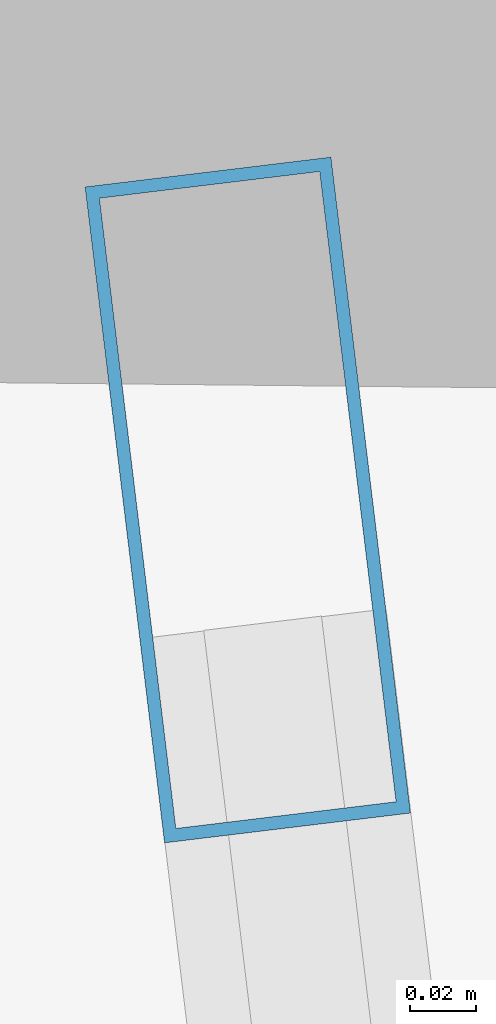
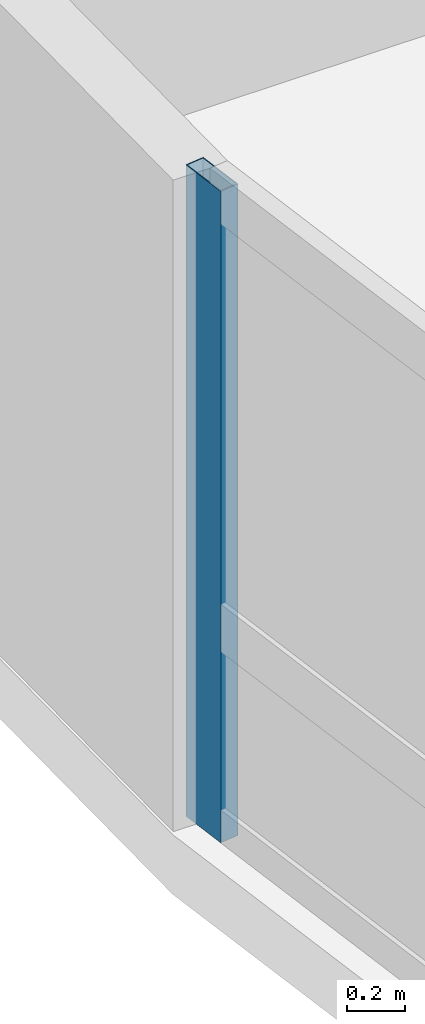
# One storey, part 8 of 23: 1 member, 1 element without a shape of its own.
"""IFC4 building model written with IfcOpenShell, lengths in metres."""

import ifcopenshell
import ifcopenshell.guid

model = None  # the IFC model being written
_history = None  # IfcOwnerHistory: only IFC2X3 demands one
_inside = {}  # id of a spatial element -> (the spatial element, [elements in it])
_under = {}  # id of a project, library or spatial element -> (it, [spatial elements below it])
_declared = {}  # id of a project -> (the project, [libraries it declares])
_typed = {}  # id of a type object -> (the type object, [elements of that type])
_made_of = {}  # id of a material, layer set ... -> (it, [elements and type objects made of it])


def new_model(schema):
    """Start an empty IFC model of exactly this schema.

    Asked for "IFC4X3", IfcOpenShell would pick the latest addendum, in which some entities
    have other attributes; the version numbers below select the first issue.
    IFC2X3 requires an IfcOwnerHistory on every rooted entity: one is made here for all.
    """
    global model, _history
    if schema == "IFC4X3":
        model = ifcopenshell.file(schema_version=(4, 3, 0, 0))
    else:
        model = ifcopenshell.file(schema=schema)
    _inside.clear()
    _under.clear()
    _declared.clear()
    _typed.clear()
    _made_of.clear()
    _history = None
    if model.schema == "IFC2X3":
        org = make("IfcOrganization", Name="unknown")
        user = make(
            "IfcPersonAndOrganization",
            ThePerson=make("IfcPerson", FamilyName="unknown"),
            TheOrganization=org,
        )
        app = make(
            "IfcApplication",
            ApplicationDeveloper=org,
            Version="unknown",
            ApplicationFullName="unknown",
            ApplicationIdentifier="unknown",
        )
        _history = make(
            "IfcOwnerHistory",
            OwningUser=user,
            OwningApplication=app,
            ChangeAction="ADDED",
            CreationDate=0,
        )
    return model


def make(cls, **values):
    """One entity of the class cls with the attributes given. An attribute that is None is left unset."""
    return model.create_entity(
        cls, **{name: value for name, value in values.items() if value is not None}
    )


def rooted(cls, **values):
    """An entity with a GlobalId (a new one), such as an element, a storey or a relation."""
    return make(cls, GlobalId=ifcopenshell.guid.new(), OwnerHistory=_history, **values)


def si_unit(unit_type, name, prefix=None):
    """IfcSIUnit, for example si_unit("LENGTHUNIT", "METRE", prefix="MILLI")."""
    return make("IfcSIUnit", UnitType=unit_type, Prefix=prefix, Name=name)


def assignment(units):
    """IfcUnitAssignment: the units of a project."""
    return None if units is None else make("IfcUnitAssignment", Units=units)


def point(xyz):
    """IfcCartesianPoint."""
    return None if xyz is None else make("IfcCartesianPoint", Coordinates=xyz)


def direction(xyz):
    """IfcDirection."""
    return None if xyz is None else make("IfcDirection", DirectionRatios=xyz)


def frame(location, z_axis=None, x_axis=None):
    """IfcAxis2Placement3D, a coordinate frame: its origin and axes. An axis left out is left unset."""
    return make(
        "IfcAxis2Placement3D",
        Location=point(location),
        Axis=direction(z_axis),
        RefDirection=direction(x_axis),
    )


def frame_2d(location, x_axis=None):
    """IfcAxis2Placement2D, a coordinate frame in the plane: its origin and x axis."""
    return make(
        "IfcAxis2Placement2D", Location=point(location), RefDirection=direction(x_axis)
    )


def origin():
    """The frame at (0, 0, 0) with its axes left unset."""
    return frame((0.0, 0.0, 0.0))


def origin_2d():
    """The frame at (0, 0) in the plane with its x axis left unset."""
    return frame_2d((0.0, 0.0))


def place(relative_to, where):
    """IfcLocalPlacement: puts the frame where relative to a parent placement (None: the world)."""
    return make(
        "IfcLocalPlacement", PlacementRelTo=relative_to, RelativePlacement=where
    )


def context(
    kind, dimensions, precision=None, world=None, true_north=None, identifier=None
):
    """IfcGeometricRepresentationContext, for example the 3D "Model" context."""
    return make(
        "IfcGeometricRepresentationContext",
        ContextIdentifier=identifier,
        ContextType=kind,
        CoordinateSpaceDimension=dimensions,
        Precision=precision,
        WorldCoordinateSystem=world,
        TrueNorth=true_north,
    )


def subcontext(parent, identifier, kind, view, scale=None):
    """IfcGeometricRepresentationSubContext, for example "Body" below "Model"."""
    return make(
        "IfcGeometricRepresentationSubContext",
        ContextIdentifier=identifier,
        ContextType=kind,
        ParentContext=parent,
        TargetScale=scale,
        TargetView=view,
    )


def project(units=None, contexts=None):
    """IfcProject with its units and contexts."""
    return rooted(
        "IfcProject",
        Name="project",
        RepresentationContexts=contexts,
        UnitsInContext=assignment(units),
    )


def spatial(cls, under=None, at=None, **own):
    """A site, building, storey or space (cls), placed at a placement, below another one or the project."""
    s = rooted(cls, ObjectPlacement=at, **own)
    if under is not None:
        _under.setdefault(under.id(), (under, []))[1].append(s)
    return s


def profile(cls, at=None, kind="AREA", **sizes):
    """A parametric profile (cls). Its sizes go by their IFC names, for example OverallWidth=200.0."""
    return make(cls, ProfileType=kind, Position=at, **sizes)


def hollow_rectangle(**sizes):
    """IfcRectangleHollowProfileDef."""
    return profile("IfcRectangleHollowProfileDef", **sizes)


def extrude(swept, where, along, depth):
    """IfcExtrudedAreaSolid: the profile swept, set in the frame where, extruded along a direction by depth."""
    return make(
        "IfcExtrudedAreaSolid",
        SweptArea=swept,
        Position=where,
        ExtrudedDirection=direction(along),
        Depth=depth,
    )


def shape(context_of_items, identifier, shape_type, items):
    """IfcShapeRepresentation: the items that make up one representation, for example the "Body"."""
    return make(
        "IfcShapeRepresentation",
        ContextOfItems=context_of_items,
        RepresentationIdentifier=identifier,
        RepresentationType=shape_type,
        Items=items,
    )


def material(Name=None, Category=None):
    """IfcMaterial."""
    return make("IfcMaterial", Name=Name, Category=Category)


def layer(
    of_material, thickness, ventilated=None, Name=None, Category=None, Priority=None
):
    """IfcMaterialLayer: one layer of a wall or slab, of a material (None: an air gap)."""
    return make(
        "IfcMaterialLayer",
        Material=of_material,
        LayerThickness=thickness,
        IsVentilated=ventilated,
        Name=Name,
        Category=Category,
        Priority=Priority,
    )


def layer_set(layers, Name=None):
    """IfcMaterialLayerSet."""
    return make("IfcMaterialLayerSet", MaterialLayers=layers, LayerSetName=Name)


def material_profile(
    of_material, cross_section, Name=None, Category=None, Priority=None
):
    """IfcMaterialProfile: a cross section and its material."""
    return make(
        "IfcMaterialProfile",
        Name=Name,
        Material=of_material,
        Profile=cross_section,
        Priority=Priority,
        Category=Category,
    )


def profile_set(profiles, Name=None, composite=None):
    """IfcMaterialProfileSet."""
    return make(
        "IfcMaterialProfileSet",
        Name=Name,
        MaterialProfiles=profiles,
        CompositeProfile=composite,
    )


def made_of(thing, what):
    """Note that an element or type object is made of a material, layer set ...; save() writes the relation."""
    if what is not None:
        _made_of.setdefault(what.id(), (what, []))[1].append(thing)
    return thing


def type_object(cls, material=None, **own):
    """A type object (cls), such as IfcWallType, which elements share."""
    return made_of(rooted(cls, **own), material)


def element(
    cls,
    number,
    at=None,
    inside=None,
    cuts=None,
    type_object=None,
    material=None,
    context=None,
    identifier="Body",
    shape_type=None,
    held_by="IfcProductDefinitionShape",
    body=None,
    shapes=None,
    **own,
):
    """One element of the class cls, such as IfcWall. Its Tag is "e" and its number.

    at: its placement. inside: the storey or other place that contains it. cuts: it is an
    opening in that element (IfcRelVoidsElement). A single representation is given by context,
    identifier, shape_type and body (its items); several are given by shapes. held_by: the class
    of the entity that holds the representations. save() writes the other relations.
    """
    e = rooted(cls, Tag="e%d" % number, ObjectPlacement=at, **own)
    if body is not None:
        shapes = [shape(context, identifier, shape_type, body)]
    if shapes is not None:
        e.Representation = make(held_by, Representations=shapes)
    if inside is not None:
        _inside.setdefault(inside.id(), (inside, []))[1].append(e)
    if cuts is not None:
        rooted(
            "IfcRelVoidsElement", RelatingBuildingElement=cuts, RelatedOpeningElement=e
        )
    if type_object is not None:
        _typed.setdefault(type_object.id(), (type_object, []))[1].append(e)
    return made_of(e, material)


def aggregate(whole, parts):
    """IfcRelAggregates: a whole, such as a stair, and the parts it consists of."""
    return rooted("IfcRelAggregates", RelatingObject=whole, RelatedObjects=parts)


def save(model, path):
    """Write the relations noted so far, then the file.

    IfcRelAggregates (storeys below a building ...), IfcRelContainedInSpatialStructure (elements
    in a storey), IfcRelDefinesByType, IfcRelAssociatesMaterial and IfcRelDeclares: one each for
    every whole, place, type object, material and project.
    """
    for whole, parts in _under.values():
        aggregate(whole, parts)
    for where, things in _inside.values():
        rooted(
            "IfcRelContainedInSpatialStructure",
            RelatedElements=things,
            RelatingStructure=where,
        )
    for kind, things in _typed.values():
        rooted("IfcRelDefinesByType", RelatedObjects=things, RelatingType=kind)
    for what, things in _made_of.values():
        rooted("IfcRelAssociatesMaterial", RelatedObjects=things, RelatingMaterial=what)
    for by, libraries in _declared.values():
        rooted("IfcRelDeclares", RelatingContext=by, RelatedDefinitions=libraries)
    model.write(path)


model = new_model("IFC4")

# Units and contexts
model_context = context("Model", 3, precision=1e-05, world=origin(), true_north=direction((0.0, 1.0)))
body_context = subcontext(model_context, "Body", "Model", "MODEL_VIEW")
ifc_project = project(units=[si_unit("LENGTHUNIT", "METRE"), si_unit("AREAUNIT", "SQUARE_METRE"), si_unit("VOLUMEUNIT", "CUBIC_METRE"), si_unit("PLANEANGLEUNIT", "RADIAN"), si_unit("MASSUNIT", "GRAM", prefix="KILO")], contexts=[model_context])

# Site, building, storey
site_placement = place(None, origin())
site = spatial("IfcSite", under=ifc_project, at=site_placement, CompositionType="ELEMENT")
building_placement = place(site_placement, origin())
building = spatial("IfcBuilding", under=site, at=building_placement, Name="Varnelok Gate Tower", CompositionType="ELEMENT")
storey_placement = place(building_placement, frame((0.0, 0.0, 170.89990234375)))
storey = spatial("IfcBuildingStorey", under=building, at=storey_placement, Name="L43", CompositionType="ELEMENT", Elevation=170.89990234375)

# Curtain wall, member
ifc_material = material(Name="Anodized Aluminum Alloy 6063-T6", Category="aluminium")
ifc_layer = layer(ifc_material, 0.179931640625)
ifc_layer_set = layer_set([ifc_layer], Name="Anodized Aluminum Alloy 6063-T6")
curtain_wall_type = type_object("IfcCurtainWallType", Name="CW4-RESIDENCE-VISION", PredefinedType="USERDEFINED", material=ifc_layer_set)
curtain_wall_placement = place(storey_placement, origin())
curtain_wall = element("IfcCurtainWall", 1, at=curtain_wall_placement, inside=storey, type_object=curtain_wall_type, Name="L43 West End Vision Curtain Wall", ObjectType="UNITISED CURTAIN WALL", PredefinedType="USERDEFINED")
ifc_material_profile = material_profile(ifc_material, hollow_rectangle(XDim=0.074951171875, YDim=0.199951171875, WallThickness=0.00390625, at=origin_2d()), Name="ALU200X75X4")
ifc_profile_set = profile_set([ifc_material_profile], Name="Anodized Aluminum Alloy 6063-T6")
member_type = type_object("IfcMemberType", Name="CW-MULL-200", PredefinedType="MULLION", material=ifc_profile_set)
member_placement = place(storey_placement, frame((2.290283203125, 37.610107421875, 0.0), z_axis=(0.0, 0.0, 1.0), x_axis=(-0.992732188751, -0.120344511371, 0.0)))
member = element("IfcMember", 2, at=member_placement, type_object=member_type, Name="CW4 mullion 6", PredefinedType="MULLION", context=body_context, shape_type="SweptSolid", body=[
    extrude(hollow_rectangle(XDim=0.074951171875, YDim=0.199951171875, WallThickness=0.00390625, at=origin_2d()), origin(), (0.0, 0.0, 1.0), 2.72998046875),
])
aggregate(curtain_wall, [member])

save(model, "model.ifc")
